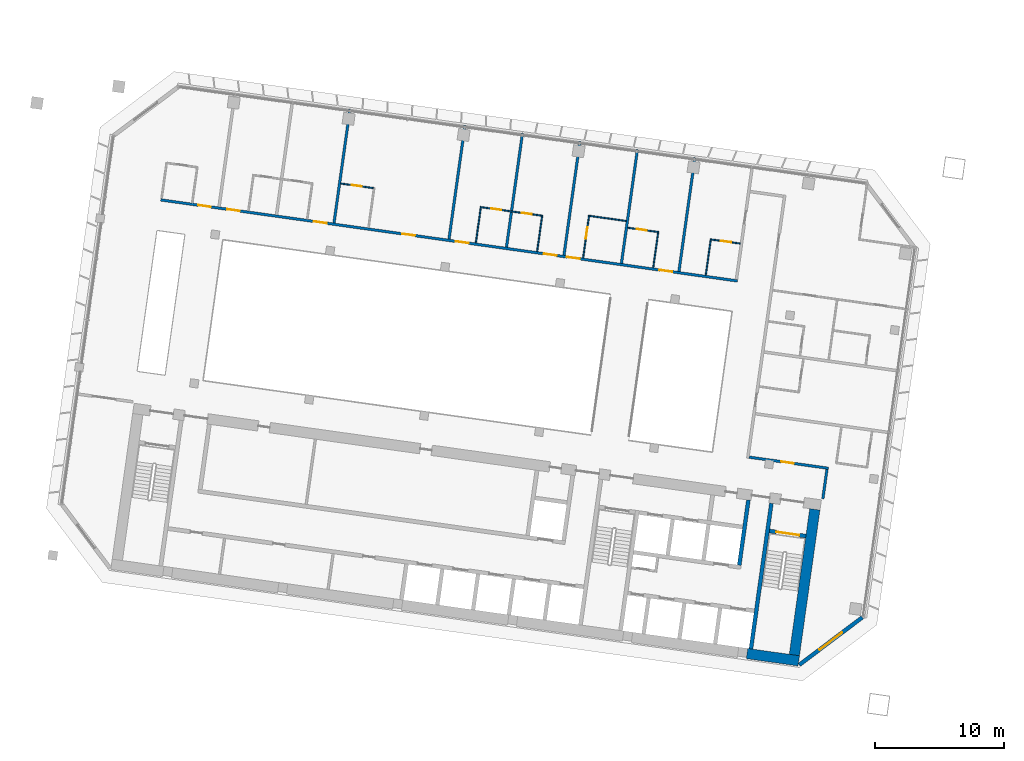
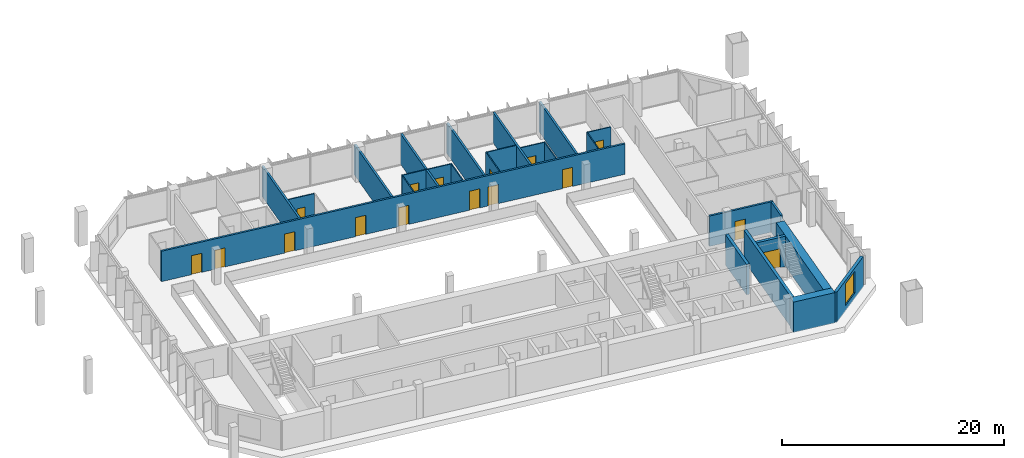
# One storey, part 18 of 26: 25 walls, 16 doors, 1 window, 17 openings.
"""IFC4 building model written with IfcOpenShell, lengths in metres."""

from ifc_helpers import new_model, si_unit, direction, frame, frame_2d, origin, place, context, subcontext, project, spatial, rectangle, extrude, material, layer, layer_set, type_object, element, fill, save


model = new_model("IFC4")

# Units and contexts
model_context = context("Model", 3, precision=1e-05, world=origin(), true_north=direction((0.0, 1.0)))
body_context = subcontext(model_context, "Body", "Model", "MODEL_VIEW")
ifc_project = project(units=[si_unit("LENGTHUNIT", "METRE"), si_unit("AREAUNIT", "SQUARE_METRE"), si_unit("VOLUMEUNIT", "CUBIC_METRE"), si_unit("PLANEANGLEUNIT", "RADIAN"), si_unit("MASSUNIT", "GRAM", prefix="KILO")], contexts=[model_context])

# Site, building, storey
site_placement = place(None, origin())
site = spatial("IfcSite", under=ifc_project, at=site_placement, CompositionType="ELEMENT")
building_placement = place(site_placement, origin())
building = spatial("IfcBuilding", under=site, at=building_placement, Name="Mirante Cascada Hotel Towers", CompositionType="ELEMENT")
storey_placement = place(building_placement, frame((0.0, 0.0, 98.7)))
storey = spatial("IfcBuildingStorey", under=building, at=storey_placement, Name="L21", CompositionType="ELEMENT", Elevation=98.7)

# Wall, opening, door
ifc_material_1 = material(Name="Fire-rated plasterboard on metal studs")
ifc_layer_1 = layer(ifc_material_1, 0.2)
ifc_layer_set_1 = layer_set([ifc_layer_1], Name="Compartment wall 200 EI 120")
wall_type_1 = type_object("IfcWallType", Name="Compartment wall 200 EI 120", PredefinedType="PARTITIONING", material=ifc_layer_set_1)
wall_1_placement = place(storey_placement, frame((-34.8304, -4.7545, 0.0), z_axis=(0.0, 0.0, 1.0), x_axis=(-0.9902695, 0.1391629, 0.0)))
wall_1 = element("IfcWall", 1, at=wall_1_placement, inside=storey, type_object=wall_type_1, Name="Wall 1-L21-02", PredefinedType="PARTITIONING", context=body_context, shape_type="SweptSolid", body=[
    extrude(rectangle(XDim=6.1999, YDim=0.2, at=frame_2d((3.1, 0.0))), origin(), (0.0, 0.0, 1.0), 3.35),
])
opening_1_placement = place(wall_1_placement, frame((2.7, 0.0, 0.0)))
opening_1 = element("IfcOpeningElement", 2, at=opening_1_placement, cuts=wall_1, Name="Opening D1-L21-02", PredefinedType="OPENING", context=body_context, shape_type="SweptSolid", body=[
    extrude(rectangle(XDim=1.0, YDim=2.1, at=frame_2d((0.5, 1.05))), frame((0.0, 0.1, 0.0), z_axis=(0.0, -1.0, 0.0), x_axis=(1.0, 0.0, 0.0)), (0.0, 0.0, 1.0), 0.2),
])
ifc_material_2 = material(Name="Fire-rated timber door leaf", Category="wood")
door_type_1 = type_object("IfcDoorType", Name="Entrance door DG1 1000x2100 EI 60", OperationType="SINGLE_SWING_LEFT", PredefinedType="DOOR", material=ifc_material_2)
door_1_placement = place(opening_1_placement, origin())
door_1 = element("IfcDoor", 3, at=door_1_placement, inside=storey, type_object=door_type_1, Name="Door D1-L21-02", OperationType="SINGLE_SWING_LEFT", OverallHeight=2.1, OverallWidth=1.0, PredefinedType="DOOR", context=body_context, shape_type="SweptSolid", body=[
    extrude(rectangle(XDim=1.0, YDim=2.1, at=frame_2d((0.5, 1.05))), frame((0.0, 0.025, 0.0), z_axis=(0.0, -1.0, 0.0), x_axis=(1.0, 0.0, 0.0)), (0.0, 0.0, 1.0), 0.05),
])
fill(opening_1, door_1)

# Wall, openings, doors
wall_2_placement = place(storey_placement, frame((-41.8779, 9.7676, 0.0), z_axis=(0.0, 0.0, 1.0), x_axis=(-0.990268, 0.1391739, 0.0)))
wall_2 = element("IfcWall", 4, at=wall_2_placement, inside=storey, type_object=wall_type_1, Name="Wall 1-L21-10", PredefinedType="PARTITIONING", context=body_context, shape_type="SweptSolid", body=[
    extrude(rectangle(XDim=45.15, YDim=0.2, at=frame_2d((22.575, 0.0))), origin(), (0.0, 0.0, 1.0), 3.35),
])
opening_2_placement = place(wall_2_placement, frame((5.1063, 0.0, 0.0)))
opening_2 = element("IfcOpeningElement", 5, at=opening_2_placement, cuts=wall_2, Name="Opening D1-L21-05", PredefinedType="OPENING", context=body_context, shape_type="SweptSolid", body=[
    extrude(rectangle(XDim=1.0, YDim=2.1, at=frame_2d((0.5, 1.05))), frame((0.0, 0.1, 0.0), z_axis=(0.0, -1.0, 0.0), x_axis=(1.0, 0.0, 0.0)), (0.0, 0.0, 1.0), 0.2),
])
opening_3_placement = place(wall_2_placement, frame((12.35, 0.0, 0.0)))
opening_3 = element("IfcOpeningElement", 6, at=opening_3_placement, cuts=wall_2, Name="Opening D1-L21-06", PredefinedType="OPENING", context=body_context, shape_type="SweptSolid", body=[
    extrude(rectangle(XDim=1.0, YDim=2.1, at=frame_2d((0.5, 1.05))), frame((0.0, 0.1, 0.0), z_axis=(0.0, -1.0, 0.0), x_axis=(1.0, 0.0, 0.0)), (0.0, 0.0, 1.0), 0.2),
])
opening_4_placement = place(wall_2_placement, frame((14.15, 0.0, 0.0)))
opening_4 = element("IfcOpeningElement", 7, at=opening_4_placement, cuts=wall_2, Name="Opening D1-L21-07", PredefinedType="OPENING", context=body_context, shape_type="SweptSolid", body=[
    extrude(rectangle(XDim=1.0, YDim=2.1, at=frame_2d((0.5, 1.05))), frame((0.0, 0.1, 0.0), z_axis=(0.0, -1.0, 0.0), x_axis=(1.0, 0.0, 0.0)), (0.0, 0.0, 1.0), 0.2),
])
opening_5_placement = place(wall_2_placement, frame((21.05, 0.0, 0.0)))
opening_5 = element("IfcOpeningElement", 8, at=opening_5_placement, cuts=wall_2, Name="Opening D1-L21-08", PredefinedType="OPENING", context=body_context, shape_type="SweptSolid", body=[
    extrude(rectangle(XDim=1.0, YDim=2.1, at=frame_2d((0.5, 1.05))), frame((0.0, 0.1, 0.0), z_axis=(0.0, -1.0, 0.0), x_axis=(1.0, 0.0, 0.0)), (0.0, 0.0, 1.0), 0.2),
])
opening_6_placement = place(wall_2_placement, frame((25.25, 0.0, 0.0)))
opening_6 = element("IfcOpeningElement", 9, at=opening_6_placement, cuts=wall_2, Name="Opening D1-L21-09", PredefinedType="OPENING", context=body_context, shape_type="SweptSolid", body=[
    extrude(rectangle(XDim=1.0, YDim=2.1, at=frame_2d((0.5, 1.05))), frame((0.0, 0.1, 0.0), z_axis=(0.0, -1.0, 0.0), x_axis=(1.0, 0.0, 0.0)), (0.0, 0.0, 1.0), 0.2),
])
opening_7_placement = place(wall_2_placement, frame((32.15, 0.0, 0.0)))
opening_7 = element("IfcOpeningElement", 10, at=opening_7_placement, cuts=wall_2, Name="Opening D1-L21-10", PredefinedType="OPENING", context=body_context, shape_type="SweptSolid", body=[
    extrude(rectangle(XDim=1.0, YDim=2.1, at=frame_2d((0.5, 1.05))), frame((0.0, 0.1, 0.0), z_axis=(0.0, -1.0, 0.0), x_axis=(1.0, 0.0, 0.0)), (0.0, 0.0, 1.0), 0.2),
])
opening_8_placement = place(wall_2_placement, frame((38.95, 0.0, 0.0)))
opening_8 = element("IfcOpeningElement", 11, at=opening_8_placement, cuts=wall_2, Name="Opening D1-L21-11", PredefinedType="OPENING", context=body_context, shape_type="SweptSolid", body=[
    extrude(rectangle(XDim=1.0, YDim=2.1, at=frame_2d((0.5, 1.05))), frame((0.0, 0.1, 0.0), z_axis=(0.0, -1.0, 0.0), x_axis=(1.0, 0.0, 0.0)), (0.0, 0.0, 1.0), 0.2),
])
opening_9_placement = place(wall_2_placement, frame((41.22, 0.0, 0.0)))
opening_9 = element("IfcOpeningElement", 12, at=opening_9_placement, cuts=wall_2, Name="Opening D1-L21-12", PredefinedType="OPENING", context=body_context, shape_type="SweptSolid", body=[
    extrude(rectangle(XDim=1.0, YDim=2.1, at=frame_2d((0.5, 1.05))), frame((0.0, 0.1, 0.0), z_axis=(0.0, -1.0, 0.0), x_axis=(1.0, 0.0, 0.0)), (0.0, 0.0, 1.0), 0.2),
])
door_2_placement = place(opening_2_placement, frame((1.0, 0.0, 0.0), z_axis=(0.0, 0.0, 1.0), x_axis=(-1.0, 0.0, 0.0)))
door_2 = element("IfcDoor", 13, at=door_2_placement, inside=storey, type_object=door_type_1, Name="Door D1-L21-05", OperationType="SINGLE_SWING_RIGHT", OverallHeight=2.1, OverallWidth=1.0, PredefinedType="DOOR", context=body_context, shape_type="SweptSolid", body=[
    extrude(rectangle(XDim=1.0, YDim=2.1, at=frame_2d((0.5, 1.05))), frame((0.0, 0.025, 0.0), z_axis=(0.0, -1.0, 0.0), x_axis=(1.0, 0.0, 0.0)), (0.0, 0.0, 1.0), 0.05),
])
fill(opening_2, door_2)
door_3_placement = place(opening_3_placement, frame((1.0, 0.0, 0.0), z_axis=(0.0, 0.0, 1.0), x_axis=(-1.0, 0.0, 0.0)))
door_3 = element("IfcDoor", 14, at=door_3_placement, inside=storey, type_object=door_type_1, Name="Door D1-L21-06", OperationType="SINGLE_SWING_RIGHT", OverallHeight=2.1, OverallWidth=1.0, PredefinedType="DOOR", context=body_context, shape_type="SweptSolid", body=[
    extrude(rectangle(XDim=1.0, YDim=2.1, at=frame_2d((0.5, 1.05))), frame((0.0, 0.025, 0.0), z_axis=(0.0, -1.0, 0.0), x_axis=(1.0, 0.0, 0.0)), (0.0, 0.0, 1.0), 0.05),
])
fill(opening_3, door_3)
door_4_placement = place(opening_4_placement, frame((1.0, 0.0, 0.0), z_axis=(0.0, 0.0, 1.0), x_axis=(-1.0, 0.0, 0.0)))
door_4 = element("IfcDoor", 15, at=door_4_placement, inside=storey, type_object=door_type_1, Name="Door D1-L21-07", OperationType="SINGLE_SWING_RIGHT", OverallHeight=2.1, OverallWidth=1.0, PredefinedType="DOOR", context=body_context, shape_type="SweptSolid", body=[
    extrude(rectangle(XDim=1.0, YDim=2.1, at=frame_2d((0.5, 1.05))), frame((0.0, 0.025, 0.0), z_axis=(0.0, -1.0, 0.0), x_axis=(1.0, 0.0, 0.0)), (0.0, 0.0, 1.0), 0.05),
])
fill(opening_4, door_4)
door_5_placement = place(opening_5_placement, frame((1.0, 0.0, 0.0), z_axis=(0.0, 0.0, 1.0), x_axis=(-1.0, 0.0, 0.0)))
door_5 = element("IfcDoor", 16, at=door_5_placement, inside=storey, type_object=door_type_1, Name="Door D1-L21-08", OperationType="SINGLE_SWING_RIGHT", OverallHeight=2.1, OverallWidth=1.0, PredefinedType="DOOR", context=body_context, shape_type="SweptSolid", body=[
    extrude(rectangle(XDim=1.0, YDim=2.1, at=frame_2d((0.5, 1.05))), frame((0.0, 0.025, 0.0), z_axis=(0.0, -1.0, 0.0), x_axis=(1.0, 0.0, 0.0)), (0.0, 0.0, 1.0), 0.05),
])
fill(opening_5, door_5)
door_6_placement = place(opening_6_placement, frame((1.0, 0.0, 0.0), z_axis=(0.0, 0.0, 1.0), x_axis=(-1.0, 0.0, 0.0)))
door_6 = element("IfcDoor", 17, at=door_6_placement, inside=storey, type_object=door_type_1, Name="Door D1-L21-09", OperationType="SINGLE_SWING_RIGHT", OverallHeight=2.1, OverallWidth=1.0, PredefinedType="DOOR", context=body_context, shape_type="SweptSolid", body=[
    extrude(rectangle(XDim=1.0, YDim=2.1, at=frame_2d((0.5, 1.05))), frame((0.0, 0.025, 0.0), z_axis=(0.0, -1.0, 0.0), x_axis=(1.0, 0.0, 0.0)), (0.0, 0.0, 1.0), 0.05),
])
fill(opening_6, door_6)
door_7_placement = place(opening_7_placement, frame((1.0, 0.0, 0.0), z_axis=(0.0, 0.0, 1.0), x_axis=(-1.0, 0.0, 0.0)))
door_7 = element("IfcDoor", 18, at=door_7_placement, inside=storey, type_object=door_type_1, Name="Door D1-L21-10", OperationType="SINGLE_SWING_RIGHT", OverallHeight=2.1, OverallWidth=1.0, PredefinedType="DOOR", context=body_context, shape_type="SweptSolid", body=[
    extrude(rectangle(XDim=1.0, YDim=2.1, at=frame_2d((0.5, 1.05))), frame((0.0, 0.025, 0.0), z_axis=(0.0, -1.0, 0.0), x_axis=(1.0, 0.0, 0.0)), (0.0, 0.0, 1.0), 0.05),
])
fill(opening_7, door_7)
door_8_placement = place(opening_8_placement, frame((1.0, 0.0, 0.0), z_axis=(0.0, 0.0, 1.0), x_axis=(-1.0, 0.0, 0.0)))
door_8 = element("IfcDoor", 19, at=door_8_placement, inside=storey, type_object=door_type_1, Name="Door D1-L21-11", OperationType="SINGLE_SWING_RIGHT", OverallHeight=2.1, OverallWidth=1.0, PredefinedType="DOOR", context=body_context, shape_type="SweptSolid", body=[
    extrude(rectangle(XDim=1.0, YDim=2.1, at=frame_2d((0.5, 1.05))), frame((0.0, 0.025, 0.0), z_axis=(0.0, -1.0, 0.0), x_axis=(1.0, 0.0, 0.0)), (0.0, 0.0, 1.0), 0.05),
])
fill(opening_8, door_8)
door_9_placement = place(opening_9_placement, frame((1.0, 0.0, 0.0), z_axis=(0.0, 0.0, 1.0), x_axis=(-1.0, 0.0, 0.0)))
door_9 = element("IfcDoor", 20, at=door_9_placement, inside=storey, type_object=door_type_1, Name="Door D1-L21-12", OperationType="SINGLE_SWING_RIGHT", OverallHeight=2.1, OverallWidth=1.0, PredefinedType="DOOR", context=body_context, shape_type="SweptSolid", body=[
    extrude(rectangle(XDim=1.0, YDim=2.1, at=frame_2d((0.5, 1.05))), frame((0.0, 0.025, 0.0), z_axis=(0.0, -1.0, 0.0), x_axis=(1.0, 0.0, 0.0)), (0.0, 0.0, 1.0), 0.05),
])
fill(opening_9, door_9)

# Walls
wall_3_placement = place(storey_placement, frame((-34.9433, -4.8397, 0.0), z_axis=(0.0, 0.0, 1.0), x_axis=(-0.1391749, -0.9902678, 0.0)))
element("IfcWall", 21, at=wall_3_placement, inside=storey, type_object=wall_type_1, Name="Wall 1-L21-23", PredefinedType="PARTITIONING", context=body_context, shape_type="SweptSolid", body=[
    extrude(rectangle(XDim=2.3, YDim=0.2, at=frame_2d((1.15, 0.0))), origin(), (0.0, 0.0, 1.0), 3.35),
])
for number, where, z_axis, x_axis, name in (
    (22, (-45.1805, 19.3202, 0.0), (0.0, 0.0, 1.0), (-0.1391794, -0.9902672, 0.0), "Wall 1-L21-31"),
    (23, (-49.6367, 19.9465, 0.0), (0.0, 0.0, 1.0), (-0.1391794, -0.9902672, 0.0), "Wall 1-L21-33"),
    (24, (-54.0929, 20.5728, 0.0), (0.0, 0.0, 1.0), (-0.1391794, -0.9902672, 0.0), "Wall 1-L21-35"),
):
    element("IfcWall", number, at=place(storey_placement, frame(where, z_axis=z_axis, x_axis=x_axis)), inside=storey, type_object=wall_type_1, Name=name, PredefinedType="PARTITIONING", context=body_context, shape_type="SweptSolid", body=[
        extrude(rectangle(XDim=8.9, YDim=0.2, at=frame_2d((4.45, 0.0))), origin(), (0.0, 0.0, 1.0), 3.35),
    ])
wall_4_placement = place(storey_placement, frame((-58.5492, 21.199, 0.0), z_axis=(0.0, 0.0, 1.0), x_axis=(-0.13917, -0.9902685, 0.0)))
element("IfcWall", 25, at=wall_4_placement, inside=storey, type_object=wall_type_1, Name="Wall 1-L21-37", PredefinedType="PARTITIONING", context=body_context, shape_type="SweptSolid", body=[
    extrude(rectangle(XDim=8.8999, YDim=0.2, at=frame_2d((4.45, 0.0))), origin(), (0.0, 0.0, 1.0), 3.35),
])
for number, where, z_axis, x_axis, name in (
    (26, (-63.0054, 21.8253, 0.0), (0.0, 0.0, 1.0), (-0.1391684, -0.9902687, 0.0), "Wall 1-L21-39"),
    (27, (-71.9178, 23.0779, 0.0), (0.0, 0.0, 1.0), (-0.1391684, -0.9902687, 0.0), "Wall 1-L21-41"),
):
    element("IfcWall", number, at=place(storey_placement, frame(where, z_axis=z_axis, x_axis=x_axis)), inside=storey, type_object=wall_type_1, Name=name, PredefinedType="PARTITIONING", context=body_context, shape_type="SweptSolid", body=[
        extrude(rectangle(XDim=8.9, YDim=0.2, at=frame_2d((4.45, 0.0))), origin(), (0.0, 0.0, 1.0), 3.35),
    ])

# Wall, opening, door
ifc_material_3 = material(Name="Plasterboard on metal studs")
ifc_layer_2 = layer(ifc_material_3, 0.1)
ifc_layer_set_2 = layer_set([ifc_layer_2], Name="Partition 100")
wall_type_2 = type_object("IfcWallType", Name="Partition 100", PredefinedType="PARTITIONING", material=ifc_layer_set_2)
wall_5_placement = place(storey_placement, frame((-43.9004, 12.9804, 0.0), z_axis=(0.0, 0.0, 1.0), x_axis=(0.9902643, -0.1391997, 0.0)))
wall_5 = element("IfcWall", 28, at=wall_5_placement, inside=storey, type_object=wall_type_2, Name="Wall 1-L21-11", PredefinedType="PARTITIONING", context=body_context, shape_type="SweptSolid", body=[
    extrude(rectangle(XDim=2.25, YDim=0.1, at=frame_2d((1.125, 0.0))), origin(), (0.0, 0.0, 1.0), 3.35),
])
opening_10_placement = place(wall_5_placement, frame((0.75, 0.0, 0.0)))
opening_10 = element("IfcOpeningElement", 29, at=opening_10_placement, cuts=wall_5, Name="Opening D1-L21-13", PredefinedType="OPENING", context=body_context, shape_type="SweptSolid", body=[
    extrude(rectangle(XDim=0.8, YDim=2.1, at=frame_2d((0.4, 1.05))), frame((0.0, 0.05, 0.0), z_axis=(0.0, -1.0, 0.0), x_axis=(1.0, 0.0, 0.0)), (0.0, 0.0, 1.0), 0.1),
])
ifc_material_4 = material(Name="Timber door leaf", Category="wood")
door_type_2 = type_object("IfcDoorType", Name="Bathroom door DG4 800x2100", OperationType="SINGLE_SWING_LEFT", PredefinedType="DOOR", material=ifc_material_4)
door_10_placement = place(opening_10_placement, origin())
door_10 = element("IfcDoor", 30, at=door_10_placement, inside=storey, type_object=door_type_2, Name="Door D1-L21-13", OperationType="SINGLE_SWING_LEFT", OverallHeight=2.1, OverallWidth=0.8, PredefinedType="DOOR", context=body_context, shape_type="SweptSolid", body=[
    extrude(rectangle(XDim=0.8, YDim=2.1, at=frame_2d((0.4, 1.05))), frame((0.0, 0.025, 0.0), z_axis=(0.0, -1.0, 0.0), x_axis=(1.0, 0.0, 0.0)), (0.0, 0.0, 1.0), 0.05),
])
fill(opening_10, door_10)

wall_6_placement = place(storey_placement, frame((-48.0719, 13.5666, 0.0), z_axis=(0.0, 0.0, 1.0), x_axis=(-0.9902695, 0.1391631, 0.0)))
wall_6 = element("IfcWall", 31, at=wall_6_placement, inside=storey, type_object=wall_type_2, Name="Wall 1-L21-12", PredefinedType="PARTITIONING", context=body_context, shape_type="SweptSolid", body=[
    extrude(rectangle(XDim=2.3375, YDim=0.1, at=frame_2d((1.1688, 0.0))), origin(), (0.0, 0.0, 1.0), 3.35),
])
opening_11_placement = place(wall_6_placement, frame((0.8375, 0.0, 0.0)))
opening_11 = element("IfcOpeningElement", 32, at=opening_11_placement, cuts=wall_6, Name="Opening D1-L21-14", PredefinedType="OPENING", context=body_context, shape_type="SweptSolid", body=[
    extrude(rectangle(XDim=0.8, YDim=2.1, at=frame_2d((0.4, 1.05))), frame((0.0, 0.05, 0.0), z_axis=(0.0, -1.0, 0.0), x_axis=(1.0, 0.0, 0.0)), (0.0, 0.0, 1.0), 0.1),
])
door_11_placement = place(opening_11_placement, frame((0.8, 0.0, 0.0), z_axis=(0.0, 0.0, 1.0), x_axis=(-1.0, 0.0, 0.0)))
door_11 = element("IfcDoor", 33, at=door_11_placement, inside=storey, type_object=door_type_2, Name="Door D1-L21-14", OperationType="SINGLE_SWING_RIGHT", OverallHeight=2.1, OverallWidth=0.8, PredefinedType="DOOR", context=body_context, shape_type="SweptSolid", body=[
    extrude(rectangle(XDim=0.8, YDim=2.1, at=frame_2d((0.4, 1.05))), frame((0.0, 0.025, 0.0), z_axis=(0.0, -1.0, 0.0), x_axis=(1.0, 0.0, 0.0)), (0.0, 0.0, 1.0), 0.05),
])
fill(opening_11, door_11)

# Wall, openings, doors
wall_7_placement = place(storey_placement, frame((-61.8243, 15.4994, 0.0), z_axis=(0.0, 0.0, 1.0), x_axis=(0.9902666, -0.1391838, 0.0)))
wall_7 = element("IfcWall", 34, at=wall_7_placement, inside=storey, type_object=wall_type_2, Name="Wall 1-L21-13", PredefinedType="PARTITIONING", context=body_context, shape_type="SweptSolid", body=[
    extrude(rectangle(XDim=4.9, YDim=0.1, at=frame_2d((2.45, 0.0))), origin(), (0.0, 0.0, 1.0), 3.35),
])
opening_12_placement = place(wall_7_placement, frame((3.25, 0.0, 0.0)))
opening_12 = element("IfcOpeningElement", 35, at=opening_12_placement, cuts=wall_7, Name="Opening D1-L21-15", PredefinedType="OPENING", context=body_context, shape_type="SweptSolid", body=[
    extrude(rectangle(XDim=0.8, YDim=2.1, at=frame_2d((0.4, 1.05))), frame((0.0, 0.05, 0.0), z_axis=(0.0, -1.0, 0.0), x_axis=(1.0, 0.0, 0.0)), (0.0, 0.0, 1.0), 0.1),
])
opening_13_placement = place(wall_7_placement, frame((0.85, 0.0, 0.0)))
opening_13 = element("IfcOpeningElement", 36, at=opening_13_placement, cuts=wall_7, Name="Opening D1-L21-16", PredefinedType="OPENING", context=body_context, shape_type="SweptSolid", body=[
    extrude(rectangle(XDim=0.8, YDim=2.1, at=frame_2d((0.4, 1.05))), frame((0.0, 0.05, 0.0), z_axis=(0.0, -1.0, 0.0), x_axis=(1.0, 0.0, 0.0)), (0.0, 0.0, 1.0), 0.1),
])
door_12_placement = place(opening_12_placement, origin())
door_12 = element("IfcDoor", 37, at=door_12_placement, inside=storey, type_object=door_type_2, Name="Door D1-L21-15", OperationType="SINGLE_SWING_LEFT", OverallHeight=2.1, OverallWidth=0.8, PredefinedType="DOOR", context=body_context, shape_type="SweptSolid", body=[
    extrude(rectangle(XDim=0.8, YDim=2.1, at=frame_2d((0.4, 1.05))), frame((0.0, 0.025, 0.0), z_axis=(0.0, -1.0, 0.0), x_axis=(1.0, 0.0, 0.0)), (0.0, 0.0, 1.0), 0.05),
])
fill(opening_12, door_12)
door_13_placement = place(opening_13_placement, origin())
door_13 = element("IfcDoor", 38, at=door_13_placement, inside=storey, type_object=door_type_2, Name="Door D1-L21-16", OperationType="SINGLE_SWING_LEFT", OverallHeight=2.1, OverallWidth=0.8, PredefinedType="DOOR", context=body_context, shape_type="SweptSolid", body=[
    extrude(rectangle(XDim=0.8, YDim=2.1, at=frame_2d((0.4, 1.05))), frame((0.0, 0.025, 0.0), z_axis=(0.0, -1.0, 0.0), x_axis=(1.0, 0.0, 0.0)), (0.0, 0.0, 1.0), 0.05),
])
fill(opening_13, door_13)

# Wall, opening, door
wall_8_placement = place(storey_placement, frame((-70.1008, 16.9655, 0.0), z_axis=(0.0, 0.0, 1.0), x_axis=(-0.9902677, 0.1391755, 0.0)))
wall_8 = element("IfcWall", 39, at=wall_8_placement, inside=storey, type_object=wall_type_2, Name="Wall 1-L21-16", PredefinedType="PARTITIONING", context=body_context, shape_type="SweptSolid", body=[
    extrude(rectangle(XDim=2.55, YDim=0.1, at=frame_2d((1.275, 0.0))), origin(), (0.0, 0.0, 1.0), 3.35),
])
opening_14_placement = place(wall_8_placement, frame((0.9, 0.0, 0.0)))
opening_14 = element("IfcOpeningElement", 40, at=opening_14_placement, cuts=wall_8, Name="Opening D1-L21-20", PredefinedType="OPENING", context=body_context, shape_type="SweptSolid", body=[
    extrude(rectangle(XDim=0.8, YDim=2.1, at=frame_2d((0.4, 1.05))), frame((0.0, 0.05, 0.0), z_axis=(0.0, -1.0, 0.0), x_axis=(1.0, 0.0, 0.0)), (0.0, 0.0, 1.0), 0.1),
])
door_14_placement = place(opening_14_placement, frame((0.8, 0.0, 0.0), z_axis=(0.0, 0.0, 1.0), x_axis=(-1.0, 0.0, 0.0)))
door_14 = element("IfcDoor", 41, at=door_14_placement, inside=storey, type_object=door_type_2, Name="Door D1-L21-20", OperationType="SINGLE_SWING_RIGHT", OverallHeight=2.1, OverallWidth=0.8, PredefinedType="DOOR", context=body_context, shape_type="SweptSolid", body=[
    extrude(rectangle(XDim=0.8, YDim=2.1, at=frame_2d((0.4, 1.05))), frame((0.0, 0.025, 0.0), z_axis=(0.0, -1.0, 0.0), x_axis=(1.0, 0.0, 0.0)), (0.0, 0.0, 1.0), 0.05),
])
fill(opening_14, door_14)

# Walls
wall_9_placement = place(storey_placement, frame((-53.3374, 14.8115, 0.0), z_axis=(0.0, 0.0, 1.0), x_axis=(0.9902704, -0.1391564, 0.0)))
element("IfcWall", 42, at=wall_9_placement, inside=storey, type_object=wall_type_2, Name="Wall 1-L21-17", PredefinedType="PARTITIONING", context=body_context, shape_type="SweptSolid", body=[
    extrude(rectangle(XDim=2.85, YDim=0.1, at=frame_2d((1.425, 0.0))), origin(), (0.0, 0.0, 1.0), 3.35),
])
wall_10_placement = place(storey_placement, frame((-44.3396, 10.2146, 0.0), z_axis=(0.0, 0.0, 1.0), x_axis=(0.1391613, 0.9902697, 0.0)))
element("IfcWall", 43, at=wall_10_placement, inside=storey, type_object=wall_type_2, Name="Wall 1-L21-30", PredefinedType="PARTITIONING", context=body_context, shape_type="SweptSolid", body=[
    extrude(rectangle(XDim=2.8499, YDim=0.1, at=frame_2d((1.425, 0.0))), origin(), (0.0, 0.0, 1.0), 3.35),
])
wall_11_placement = place(storey_placement, frame((-48.4121, 10.7869, 0.0), z_axis=(0.0, 0.0, 1.0), x_axis=(0.1391909, 0.9902656, 0.0)))
element("IfcWall", 44, at=wall_11_placement, inside=storey, type_object=wall_type_2, Name="Wall 1-L21-32", PredefinedType="PARTITIONING", context=body_context, shape_type="SweptSolid", body=[
    extrude(rectangle(XDim=2.85, YDim=0.1, at=frame_2d((1.425, 0.0))), origin(), (0.0, 0.0, 1.0), 3.35),
])

# Wall, opening, door
wall_12_placement = place(storey_placement, frame((-53.8462, 11.5506, 0.0), z_axis=(0.0, 0.0, 1.0), x_axis=(0.1391643, 0.9902693, 0.0)))
wall_12 = element("IfcWall", 45, at=wall_12_placement, inside=storey, type_object=wall_type_2, Name="Wall 1-L21-34", PredefinedType="PARTITIONING", context=body_context, shape_type="SweptSolid", body=[
    extrude(rectangle(XDim=3.35, YDim=0.1, at=frame_2d((1.675, 0.0))), origin(), (0.0, 0.0, 1.0), 3.35),
])
opening_15_placement = place(wall_12_placement, frame((1.49, 0.0, 0.0)))
opening_15 = element("IfcOpeningElement", 46, at=opening_15_placement, cuts=wall_12, Name="Opening D1-L21-29", PredefinedType="OPENING", context=body_context, shape_type="SweptSolid", body=[
    extrude(rectangle(XDim=0.9, YDim=2.1, at=frame_2d((0.45, 1.05))), frame((0.0, 0.05, 0.0), z_axis=(0.0, -1.0, 0.0), x_axis=(1.0, 0.0, 0.0)), (0.0, 0.0, 1.0), 0.1),
])
ifc_material_5 = material(Name="Timber door leaf", Category="wood")
door_type_3 = type_object("IfcDoorType", Name="Room door DG3 900x2100", OperationType="SINGLE_SWING_LEFT", PredefinedType="DOOR", material=ifc_material_5)
door_15_placement = place(opening_15_placement, frame((0.9, 0.0, 0.0), z_axis=(0.0, 0.0, 1.0), x_axis=(-1.0, 0.0, 0.0)))
door_15 = element("IfcDoor", 47, at=door_15_placement, inside=storey, type_object=door_type_3, Name="Door D1-L21-29", OperationType="SINGLE_SWING_RIGHT", OverallHeight=2.1, OverallWidth=0.9, PredefinedType="DOOR", context=body_context, shape_type="SweptSolid", body=[
    extrude(rectangle(XDim=0.9, YDim=2.1, at=frame_2d((0.45, 1.05))), frame((0.0, 0.025, 0.0), z_axis=(0.0, -1.0, 0.0), x_axis=(1.0, 0.0, 0.0)), (0.0, 0.0, 1.0), 0.05),
])
fill(opening_15, door_15)

# Walls
wall_13_placement = place(storey_placement, frame((-57.4112, 12.0516, 0.0), z_axis=(0.0, 0.0, 1.0), x_axis=(0.1391963, 0.9902648, 0.0)))
element("IfcWall", 48, at=wall_13_placement, inside=storey, type_object=wall_type_2, Name="Wall 1-L21-36", PredefinedType="PARTITIONING", context=body_context, shape_type="SweptSolid", body=[
    extrude(rectangle(XDim=2.7501, YDim=0.1, at=frame_2d((1.3751, 0.0))), origin(), (0.0, 0.0, 1.0), 3.35),
])
wall_14_placement = place(storey_placement, frame((-62.1644, 12.7197, 0.0), z_axis=(0.0, 0.0, 1.0), x_axis=(0.1391657, 0.9902691, 0.0)))
element("IfcWall", 49, at=wall_14_placement, inside=storey, type_object=wall_type_2, Name="Wall 1-L21-38", PredefinedType="PARTITIONING", context=body_context, shape_type="SweptSolid", body=[
    extrude(rectangle(XDim=2.75, YDim=0.1, at=frame_2d((1.375, 0.0))), origin(), (0.0, 0.0, 1.0), 3.35),
])

# Wall, opening, window
ifc_material_6 = material(Name="Precast concrete C40/50", Category="concrete")
ifc_layer_3 = layer(ifc_material_6, 0.3)
ifc_layer_set_3 = layer_set([ifc_layer_3], Name="Precast concrete C40/50 cladding wall 300")
wall_type_3 = type_object("IfcWallType", Name="Precast concrete C40/50 cladding wall 300", PredefinedType="STANDARD", material=ifc_layer_set_3)
wall_15_placement = place(storey_placement, frame((-32.2074, -16.3138, 0.0), z_axis=(0.0, 0.0, 1.0), x_axis=(-0.7986362, -0.6018141, 0.0)))
wall_15 = element("IfcWall", 50, at=wall_15_placement, inside=storey, type_object=wall_type_3, Name="Corner cladding wall T1 L21 inner rear", PredefinedType="STANDARD", context=body_context, shape_type="SweptSolid", body=[
    extrude(rectangle(XDim=6.1157, YDim=0.3, at=frame_2d((3.0578, 0.0))), origin(), (0.0, 0.0, 1.0), 3.35),
])
opening_16_placement = place(wall_15_placement, frame((1.9578, 0.0, 0.6)))
opening_16 = element("IfcOpeningElement", 51, at=opening_16_placement, cuts=wall_15, Name="Opening W1-21-04", PredefinedType="OPENING", context=body_context, shape_type="SweptSolid", body=[
    extrude(rectangle(XDim=2.2, YDim=2.4, at=frame_2d((1.1, 1.2))), frame((0.0, 0.15, 0.0), z_axis=(0.0, -1.0, 0.0), x_axis=(1.0, 0.0, 0.0)), (0.0, 0.0, 1.0), 0.3),
])
ifc_material_7 = material(Name="Aluminium frame with clear double glazing", Category="aluminium")
window_type = type_object("IfcWindowType", Name="Corner suite window 2200x2400", PartitioningType="DOUBLE_PANEL_VERTICAL", PredefinedType="WINDOW", material=ifc_material_7)
window_placement = place(opening_16_placement, origin())
window = element("IfcWindow", 52, at=window_placement, inside=storey, type_object=window_type, Name="Window W1-21-04", OverallHeight=2.4, OverallWidth=2.2, PartitioningType="SINGLE_PANEL", PredefinedType="WINDOW", context=body_context, shape_type="SweptSolid", body=[
    extrude(rectangle(XDim=2.2, YDim=2.4, at=frame_2d((1.1, 1.2))), frame((0.0, 0.03, 0.0), z_axis=(0.0, -1.0, 0.0), x_axis=(1.0, 0.0, 0.0)), (0.0, 0.0, 1.0), 0.06),
])
fill(opening_16, window)

# Wall
ifc_material_8 = material(Name="Concrete C50/60", Category="concrete")
ifc_layer_4 = layer(ifc_material_8, 0.3)
ifc_layer_set_4 = layer_set([ifc_layer_4], Name="RC core wall 300 C50/60")
wall_type_4 = type_object("IfcWallType", Name="RC core wall 300 C50/60", PredefinedType="SHEAR", material=ifc_layer_set_4)
wall_16_placement = place(storey_placement, frame((-40.8373, -18.7548, 0.0), z_axis=(0.0, 0.0, 1.0), x_axis=(0.1391749, 0.9902678, 0.0)))
element("IfcWall", 53, at=wall_16_placement, inside=storey, type_object=wall_type_4, Name="Core wall T1:L21:5", PredefinedType="SHEAR", context=body_context, shape_type="SweptSolid", body=[
    extrude(rectangle(XDim=11.4, YDim=0.3, at=frame_2d((5.7, 0.0))), origin(), (0.0, 0.0, 1.0), 3.35),
])

# Wall, opening, door
wall_17_placement = place(storey_placement, frame((-36.5791, -10.0123, 0.0), z_axis=(0.0, 0.0, 1.0), x_axis=(-0.9902704, 0.1391564, 0.0)))
wall_17 = element("IfcWall", 54, at=wall_17_placement, inside=storey, type_object=wall_type_4, Name="Core wall T1:L21:9", PredefinedType="SHEAR", context=body_context, shape_type="SweptSolid", body=[
    extrude(rectangle(XDim=2.85, YDim=0.3, at=frame_2d((1.425, 0.0))), origin(), (0.0, 0.0, 1.0), 3.35),
])
opening_17_placement = place(wall_17_placement, frame((0.525, 0.0, 0.0)))
opening_17 = element("IfcOpeningElement", 55, at=opening_17_placement, cuts=wall_17, Name="Opening D1-21-C13", PredefinedType="OPENING", context=body_context, shape_type="SweptSolid", body=[
    extrude(rectangle(XDim=1.8, YDim=2.1, at=frame_2d((0.9, 1.05))), frame((0.0, 0.15, 0.0), z_axis=(0.0, -1.0, 0.0), x_axis=(1.0, 0.0, 0.0)), (0.0, 0.0, 1.0), 0.3),
])
ifc_material_9 = material(Name="Hollow metal fire door leaf")
door_type_4 = type_object("IfcDoorType", Name="Double fire door 1800x2100 FD60", OperationType="DOUBLE_DOOR_SINGLE_SWING", PredefinedType="DOOR", material=ifc_material_9)
door_16_placement = place(opening_17_placement, origin())
door_16 = element("IfcDoor", 56, at=door_16_placement, inside=storey, type_object=door_type_4, Name="Stair door T1 L21 13", OperationType="DOUBLE_DOOR_SINGLE_SWING", OverallHeight=2.1, OverallWidth=1.8, PredefinedType="DOOR", context=body_context, shape_type="SweptSolid", body=[
    extrude(rectangle(XDim=0.895, YDim=2.1, at=frame_2d((0.4475, 1.05))), frame((0.0, 0.025, 0.0), z_axis=(0.0, -1.0, 0.0), x_axis=(1.0, 0.0, 0.0)), (0.0, 0.0, 1.0), 0.05),
    extrude(rectangle(XDim=0.895, YDim=2.1, at=frame_2d((1.3525, 1.05))), frame((0.0, 0.025, 0.0), z_axis=(0.0, -1.0, 0.0), x_axis=(1.0, 0.0, 0.0)), (0.0, 0.0, 1.0), 0.05),
])
fill(opening_17, door_16)

# Walls
wall_18_placement = place(storey_placement, frame((-41.743, -12.2656, 0.0), z_axis=(0.0, 0.0, 1.0), x_axis=(0.1391755, 0.9902677, 0.0)))
element("IfcWall", 57, at=wall_18_placement, inside=storey, type_object=wall_type_4, Name="Core wall T1:L21:20", PredefinedType="SHEAR", context=body_context, shape_type="SweptSolid", body=[
    extrude(rectangle(XDim=5.1, YDim=0.3, at=frame_2d((2.55, 0.0))), origin(), (0.0, 0.0, 1.0), 3.35),
])
ifc_material_10 = material(Name="Concrete C50/60", Category="concrete")
ifc_layer_5 = layer(ifc_material_10, 0.8)
ifc_layer_set_5 = layer_set([ifc_layer_5], Name="RC core wall 800 C50/60")
wall_type_5 = type_object("IfcWallType", Name="RC core wall 800 C50/60", PredefinedType="SHEAR", material=ifc_layer_set_5)
wall_19_placement = place(storey_placement, frame((-37.1299, -19.6798, 0.0), z_axis=(0.0, 0.0, 1.0), x_axis=(-0.9902665, 0.1391845, 0.0)))
element("IfcWall", 58, at=wall_19_placement, inside=storey, type_object=wall_type_5, Name="Core wall T1:L21:1.1", PredefinedType="SHEAR", context=body_context, shape_type="SweptSolid", body=[
    extrude(rectangle(XDim=4.05, YDim=0.8, at=frame_2d((2.025, 0.0))), origin(), (0.0, 0.0, 1.0), 3.35),
])
wall_20_placement = place(storey_placement, frame((-37.4704, -19.228, 0.0), z_axis=(0.0, 0.0, 1.0), x_axis=(0.1391749, 0.9902678, 0.0)))
element("IfcWall", 59, at=wall_20_placement, inside=storey, type_object=wall_type_5, Name="Core wall T1:L21:3", PredefinedType="SHEAR", context=body_context, shape_type="SweptSolid", body=[
    extrude(rectangle(XDim=11.4, YDim=0.8, at=frame_2d((5.7, 0.0))), origin(), (0.0, 0.0, 1.0), 3.35),
])

save(model, "model.ifc")
